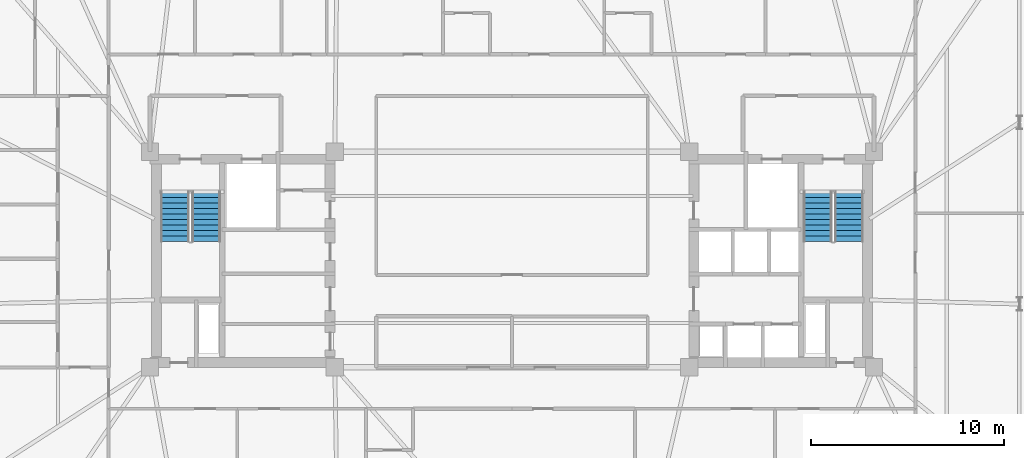
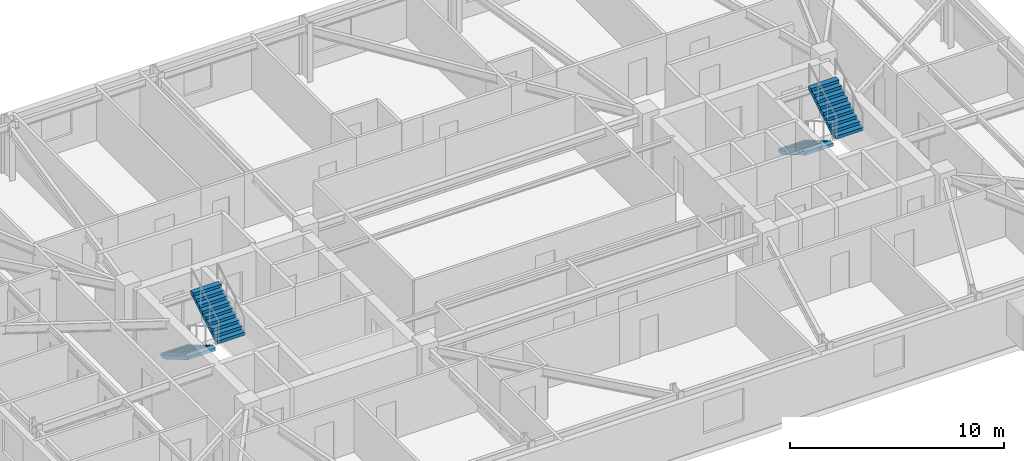
# One storey, part 15 of 17: 4 stair flights, 2 elements without a shape of their own.
"""IFC4 building model written with IfcOpenShell, lengths in metres."""

from ifc_helpers import new_model, si_unit, direction, frame, origin, place, context, subcontext, project, spatial, polyline, outline, extrude, material, type_object, element, aggregate, save


model = new_model("IFC4")

# Units and contexts
model_context = context("Model", 3, precision=1e-05, world=origin(), true_north=direction((0.0, 1.0)))
body_context = subcontext(model_context, "Body", "Model", "MODEL_VIEW")
ifc_project = project(units=[si_unit("LENGTHUNIT", "METRE"), si_unit("AREAUNIT", "SQUARE_METRE"), si_unit("VOLUMEUNIT", "CUBIC_METRE"), si_unit("PLANEANGLEUNIT", "RADIAN"), si_unit("MASSUNIT", "GRAM", prefix="KILO")], contexts=[model_context])

# Site, building, storey
site_placement = place(None, origin())
site = spatial("IfcSite", under=ifc_project, at=site_placement, CompositionType="ELEMENT")
building_placement = place(site_placement, origin())
building = spatial("IfcBuilding", under=site, at=building_placement, Name="Qobustan Lattice House", CompositionType="ELEMENT")
storey_placement = place(building_placement, frame((0.0, 0.0, 164.5)))
storey = spatial("IfcBuildingStorey", under=building, at=storey_placement, Name="L46", CompositionType="ELEMENT", Elevation=164.5)

# Stair, stair flights
ifc_material_1 = material(Name="Concrete C40/50", Category="concrete")
stair_type = type_object("IfcStairType", Name="STR-CORE-DOGLEG", PredefinedType="HALF_TURN_STAIR", material=ifc_material_1)
stair_1_placement = place(storey_placement, origin())
stair_1 = element("IfcStair", 1, at=stair_1_placement, inside=storey, type_object=stair_type, Name="L46 West protected exit stair ST-W1", PredefinedType="HALF_TURN_STAIR")
ifc_material_2 = material(Name="Concrete C40/50", Category="concrete")
stair_flight_type = type_object("IfcStairFlightType", Name="SFL-RC-1500", PredefinedType="STRAIGHT", material=ifc_material_2)
stair_flight_1_placement = place(storey_placement, frame((-17.5, 3.5, 0.0), z_axis=(0.0, 0.0, 1.0), x_axis=(0.0, -1.0, 0.0)))
stair_flight_1 = element("IfcStairFlight", 2, at=stair_flight_1_placement, type_object=stair_flight_type, Name="ST-W1 flight 1", NumberOfRisers=10, NumberOfTreads=9, PredefinedType="STRAIGHT", RiserHeight=0.1675, TreadLength=0.285, context=body_context, shape_type="SweptSolid", body=[
    extrude(outline(polyline([(0.0, 0.0), (0.0, 0.16748046875), (0.284912109375, 0.16748046875), (0.284912109375, 0.3349609375), (0.570068359375, 0.3349609375), (0.570068359375, 0.50244140625), (0.85498046875, 0.50244140625), (0.85498046875, 0.669921875), (1.139892578125, 0.669921875), (1.139892578125, 0.83740234375), (1.425048828125, 0.83740234375), (1.425048828125, 1.0048828125), (1.7099609375, 1.0048828125), (1.7099609375, 1.172607421875), (1.9951171875, 1.172607421875), (1.9951171875, 1.340087890625), (2.280029296875, 1.340087890625), (2.280029296875, 1.507568359375), (2.56494140625, 1.507568359375), (2.56494140625, 1.675048828125), (2.56494140625, 1.333740234375), (0.2958984375, 0.0), (0.0, 0.0)])), frame((0.0, 0.75, 0.0), z_axis=(0.0, -1.0, 0.0), x_axis=(1.0, 0.0, 0.0)), (0.0, 0.0, 1.0), 1.5),
])
stair_flight_2_placement = place(storey_placement, frame((-15.8798828125, 0.93505859375, 1.675048828125), z_axis=(0.0, 0.0, 1.0), x_axis=(0.0, 1.0, 0.0)))
stair_flight_2 = element("IfcStairFlight", 3, at=stair_flight_2_placement, type_object=stair_flight_type, Name="ST-W1 flight 2", NumberOfRisers=10, NumberOfTreads=9, PredefinedType="STRAIGHT", RiserHeight=0.1675, TreadLength=0.285, context=body_context, shape_type="SweptSolid", body=[
    extrude(outline(polyline([(0.0, 0.0), (0.0, 0.16748046875), (0.284912109375, 0.16748046875), (0.284912109375, 0.3349609375), (0.570068359375, 0.3349609375), (0.570068359375, 0.50244140625), (0.85498046875, 0.50244140625), (0.85498046875, 0.669921875), (1.139892578125, 0.669921875), (1.139892578125, 0.83740234375), (1.425048828125, 0.83740234375), (1.425048828125, 1.0048828125), (1.7099609375, 1.0048828125), (1.7099609375, 1.172607421875), (1.9951171875, 1.172607421875), (1.9951171875, 1.340087890625), (2.280029296875, 1.340087890625), (2.280029296875, 1.507568359375), (2.56494140625, 1.507568359375), (2.56494140625, 1.675048828125), (2.56494140625, 1.333740234375), (0.2958984375, 0.0), (0.0, 0.0)])), frame((0.0, 0.75, 0.0), z_axis=(0.0, -1.0, 0.0), x_axis=(1.0, 0.0, 0.0)), (0.0, 0.0, 1.0), 1.5),
])
aggregate(stair_1, [stair_flight_1, stair_flight_2])

stair_2_placement = place(storey_placement, origin())
stair_2 = element("IfcStair", 4, at=stair_2_placement, inside=storey, type_object=stair_type, Name="L46 East protected exit stair ST-E1", PredefinedType="HALF_TURN_STAIR")
stair_flight_3_placement = place(storey_placement, frame((15.8798828125, 3.5, 0.0), z_axis=(0.0, 0.0, 1.0), x_axis=(0.0, -1.0, 0.0)))
stair_flight_3 = element("IfcStairFlight", 5, at=stair_flight_3_placement, type_object=stair_flight_type, Name="ST-E1 flight 1", NumberOfRisers=10, NumberOfTreads=9, PredefinedType="STRAIGHT", RiserHeight=0.1675, TreadLength=0.285, context=body_context, shape_type="SweptSolid", body=[
    extrude(outline(polyline([(0.0, 0.0), (0.0, 0.16748046875), (0.284912109375, 0.16748046875), (0.284912109375, 0.3349609375), (0.570068359375, 0.3349609375), (0.570068359375, 0.50244140625), (0.85498046875, 0.50244140625), (0.85498046875, 0.669921875), (1.139892578125, 0.669921875), (1.139892578125, 0.83740234375), (1.425048828125, 0.83740234375), (1.425048828125, 1.0048828125), (1.7099609375, 1.0048828125), (1.7099609375, 1.172607421875), (1.9951171875, 1.172607421875), (1.9951171875, 1.340087890625), (2.280029296875, 1.340087890625), (2.280029296875, 1.507568359375), (2.56494140625, 1.507568359375), (2.56494140625, 1.675048828125), (2.56494140625, 1.333740234375), (0.2958984375, 0.0), (0.0, 0.0)])), frame((0.0, 0.75, 0.0), z_axis=(0.0, -1.0, 0.0), x_axis=(1.0, 0.0, 0.0)), (0.0, 0.0, 1.0), 1.5),
])
stair_flight_4_placement = place(storey_placement, frame((17.5, 0.93505859375, 1.675048828125), z_axis=(0.0, 0.0, 1.0), x_axis=(0.0, 1.0, 0.0)))
stair_flight_4 = element("IfcStairFlight", 6, at=stair_flight_4_placement, type_object=stair_flight_type, Name="ST-E1 flight 2", NumberOfRisers=10, NumberOfTreads=9, PredefinedType="STRAIGHT", RiserHeight=0.1675, TreadLength=0.285, context=body_context, shape_type="SweptSolid", body=[
    extrude(outline(polyline([(0.0, 0.0), (0.0, 0.16748046875), (0.284912109375, 0.16748046875), (0.284912109375, 0.3349609375), (0.570068359375, 0.3349609375), (0.570068359375, 0.50244140625), (0.85498046875, 0.50244140625), (0.85498046875, 0.669921875), (1.139892578125, 0.669921875), (1.139892578125, 0.83740234375), (1.425048828125, 0.83740234375), (1.425048828125, 1.0048828125), (1.7099609375, 1.0048828125), (1.7099609375, 1.172607421875), (1.9951171875, 1.172607421875), (1.9951171875, 1.340087890625), (2.280029296875, 1.340087890625), (2.280029296875, 1.507568359375), (2.56494140625, 1.507568359375), (2.56494140625, 1.675048828125), (2.56494140625, 1.333740234375), (0.2958984375, 0.0), (0.0, 0.0)])), frame((0.0, 0.75, 0.0), z_axis=(0.0, -1.0, 0.0), x_axis=(1.0, 0.0, 0.0)), (0.0, 0.0, 1.0), 1.5),
])
aggregate(stair_2, [stair_flight_3, stair_flight_4])

save(model, "model.ifc")
